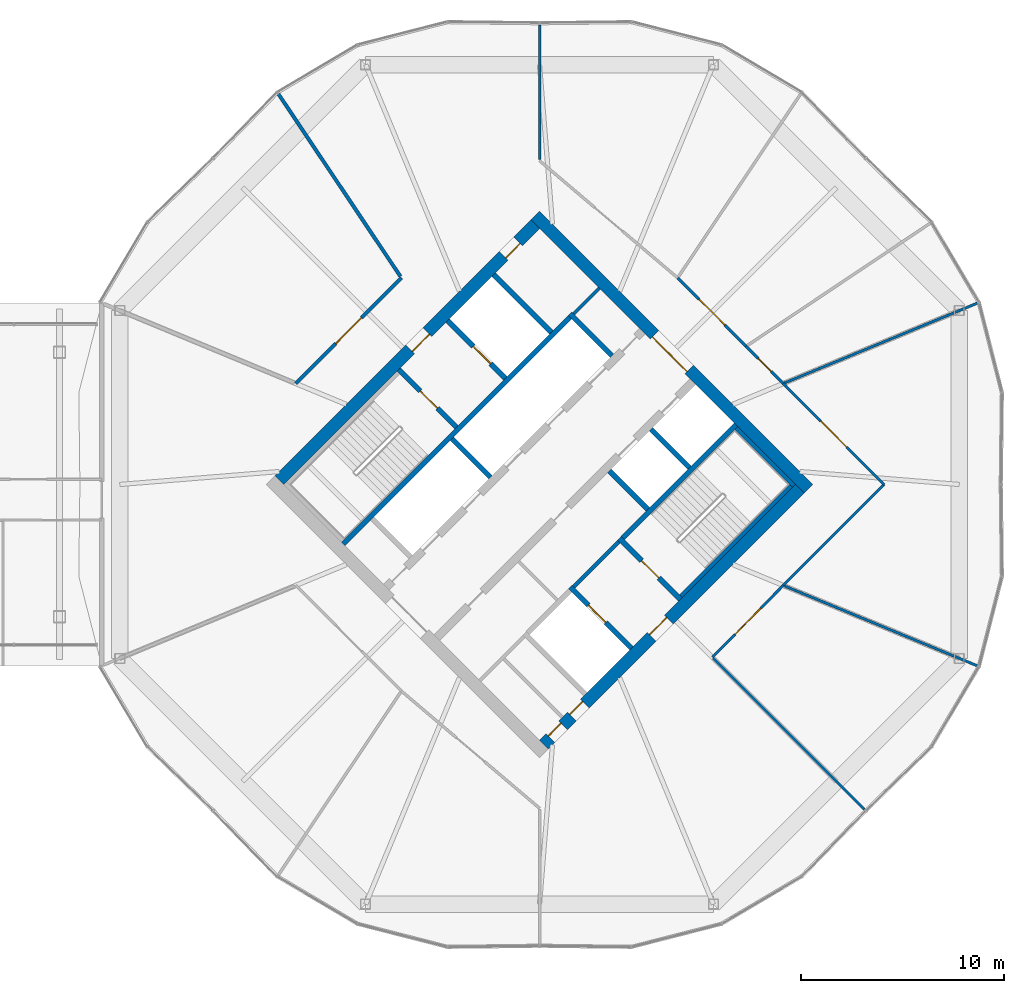
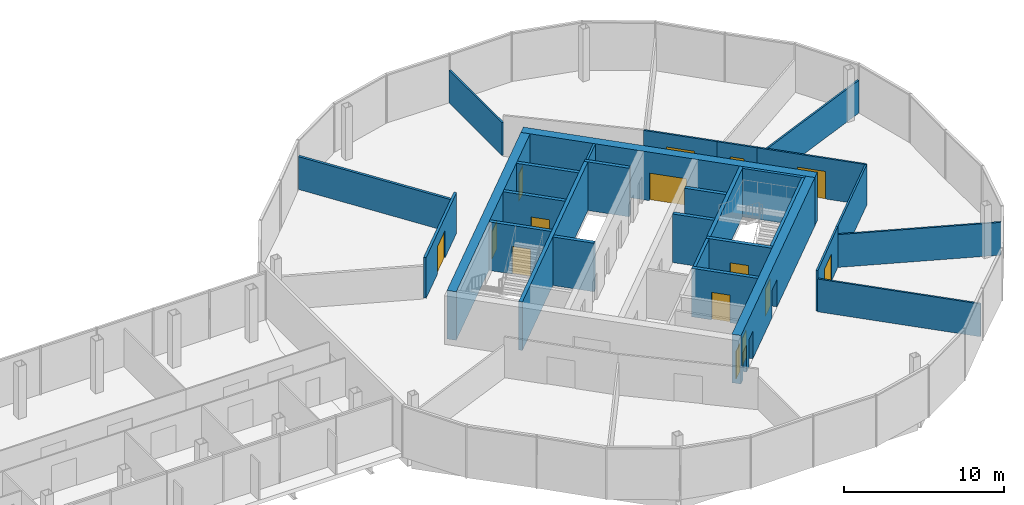
# One storey, part 23 of 25: 29 walls, 15 doors, 15 openings.
"""IFC4 building model written with IfcOpenShell, lengths in metres."""

import ifcopenshell
import ifcopenshell.guid

model = None  # the IFC model being written
_history = None  # IfcOwnerHistory: only IFC2X3 demands one
_inside = {}  # id of a spatial element -> (the spatial element, [elements in it])
_under = {}  # id of a project, library or spatial element -> (it, [spatial elements below it])
_declared = {}  # id of a project -> (the project, [libraries it declares])
_typed = {}  # id of a type object -> (the type object, [elements of that type])
_made_of = {}  # id of a material, layer set ... -> (it, [elements and type objects made of it])


def new_model(schema):
    """Start an empty IFC model of exactly this schema.

    Asked for "IFC4X3", IfcOpenShell would pick the latest addendum, in which some entities
    have other attributes; the version numbers below select the first issue.
    IFC2X3 requires an IfcOwnerHistory on every rooted entity: one is made here for all.
    """
    global model, _history
    if schema == "IFC4X3":
        model = ifcopenshell.file(schema_version=(4, 3, 0, 0))
    else:
        model = ifcopenshell.file(schema=schema)
    _inside.clear()
    _under.clear()
    _declared.clear()
    _typed.clear()
    _made_of.clear()
    _history = None
    if model.schema == "IFC2X3":
        org = make("IfcOrganization", Name="unknown")
        user = make(
            "IfcPersonAndOrganization",
            ThePerson=make("IfcPerson", FamilyName="unknown"),
            TheOrganization=org,
        )
        app = make(
            "IfcApplication",
            ApplicationDeveloper=org,
            Version="unknown",
            ApplicationFullName="unknown",
            ApplicationIdentifier="unknown",
        )
        _history = make(
            "IfcOwnerHistory",
            OwningUser=user,
            OwningApplication=app,
            ChangeAction="ADDED",
            CreationDate=0,
        )
    return model


def make(cls, **values):
    """One entity of the class cls with the attributes given. An attribute that is None is left unset."""
    return model.create_entity(
        cls, **{name: value for name, value in values.items() if value is not None}
    )


def rooted(cls, **values):
    """An entity with a GlobalId (a new one), such as an element, a storey or a relation."""
    return make(cls, GlobalId=ifcopenshell.guid.new(), OwnerHistory=_history, **values)


def si_unit(unit_type, name, prefix=None):
    """IfcSIUnit, for example si_unit("LENGTHUNIT", "METRE", prefix="MILLI")."""
    return make("IfcSIUnit", UnitType=unit_type, Prefix=prefix, Name=name)


def assignment(units):
    """IfcUnitAssignment: the units of a project."""
    return None if units is None else make("IfcUnitAssignment", Units=units)


def point(xyz):
    """IfcCartesianPoint."""
    return None if xyz is None else make("IfcCartesianPoint", Coordinates=xyz)


def direction(xyz):
    """IfcDirection."""
    return None if xyz is None else make("IfcDirection", DirectionRatios=xyz)


def frame(location, z_axis=None, x_axis=None):
    """IfcAxis2Placement3D, a coordinate frame: its origin and axes. An axis left out is left unset."""
    return make(
        "IfcAxis2Placement3D",
        Location=point(location),
        Axis=direction(z_axis),
        RefDirection=direction(x_axis),
    )


def frame_2d(location, x_axis=None):
    """IfcAxis2Placement2D, a coordinate frame in the plane: its origin and x axis."""
    return make(
        "IfcAxis2Placement2D", Location=point(location), RefDirection=direction(x_axis)
    )


def origin():
    """The frame at (0, 0, 0) with its axes left unset."""
    return frame((0.0, 0.0, 0.0))


def place(relative_to, where):
    """IfcLocalPlacement: puts the frame where relative to a parent placement (None: the world)."""
    return make(
        "IfcLocalPlacement", PlacementRelTo=relative_to, RelativePlacement=where
    )


def context(
    kind, dimensions, precision=None, world=None, true_north=None, identifier=None
):
    """IfcGeometricRepresentationContext, for example the 3D "Model" context."""
    return make(
        "IfcGeometricRepresentationContext",
        ContextIdentifier=identifier,
        ContextType=kind,
        CoordinateSpaceDimension=dimensions,
        Precision=precision,
        WorldCoordinateSystem=world,
        TrueNorth=true_north,
    )


def subcontext(parent, identifier, kind, view, scale=None):
    """IfcGeometricRepresentationSubContext, for example "Body" below "Model"."""
    return make(
        "IfcGeometricRepresentationSubContext",
        ContextIdentifier=identifier,
        ContextType=kind,
        ParentContext=parent,
        TargetScale=scale,
        TargetView=view,
    )


def project(units=None, contexts=None):
    """IfcProject with its units and contexts."""
    return rooted(
        "IfcProject",
        Name="project",
        RepresentationContexts=contexts,
        UnitsInContext=assignment(units),
    )


def spatial(cls, under=None, at=None, **own):
    """A site, building, storey or space (cls), placed at a placement, below another one or the project."""
    s = rooted(cls, ObjectPlacement=at, **own)
    if under is not None:
        _under.setdefault(under.id(), (under, []))[1].append(s)
    return s


def profile(cls, at=None, kind="AREA", **sizes):
    """A parametric profile (cls). Its sizes go by their IFC names, for example OverallWidth=200.0."""
    return make(cls, ProfileType=kind, Position=at, **sizes)


def rectangle(**sizes):
    """IfcRectangleProfileDef."""
    return profile("IfcRectangleProfileDef", **sizes)


def extrude(swept, where, along, depth):
    """IfcExtrudedAreaSolid: the profile swept, set in the frame where, extruded along a direction by depth."""
    return make(
        "IfcExtrudedAreaSolid",
        SweptArea=swept,
        Position=where,
        ExtrudedDirection=direction(along),
        Depth=depth,
    )


def shape(context_of_items, identifier, shape_type, items):
    """IfcShapeRepresentation: the items that make up one representation, for example the "Body"."""
    return make(
        "IfcShapeRepresentation",
        ContextOfItems=context_of_items,
        RepresentationIdentifier=identifier,
        RepresentationType=shape_type,
        Items=items,
    )


def material(Name=None, Category=None):
    """IfcMaterial."""
    return make("IfcMaterial", Name=Name, Category=Category)


def layer(
    of_material, thickness, ventilated=None, Name=None, Category=None, Priority=None
):
    """IfcMaterialLayer: one layer of a wall or slab, of a material (None: an air gap)."""
    return make(
        "IfcMaterialLayer",
        Material=of_material,
        LayerThickness=thickness,
        IsVentilated=ventilated,
        Name=Name,
        Category=Category,
        Priority=Priority,
    )


def layer_set(layers, Name=None):
    """IfcMaterialLayerSet."""
    return make("IfcMaterialLayerSet", MaterialLayers=layers, LayerSetName=Name)


def made_of(thing, what):
    """Note that an element or type object is made of a material, layer set ...; save() writes the relation."""
    if what is not None:
        _made_of.setdefault(what.id(), (what, []))[1].append(thing)
    return thing


def type_object(cls, material=None, **own):
    """A type object (cls), such as IfcWallType, which elements share."""
    return made_of(rooted(cls, **own), material)


def element(
    cls,
    number,
    at=None,
    inside=None,
    cuts=None,
    type_object=None,
    material=None,
    context=None,
    identifier="Body",
    shape_type=None,
    held_by="IfcProductDefinitionShape",
    body=None,
    shapes=None,
    **own,
):
    """One element of the class cls, such as IfcWall. Its Tag is "e" and its number.

    at: its placement. inside: the storey or other place that contains it. cuts: it is an
    opening in that element (IfcRelVoidsElement). A single representation is given by context,
    identifier, shape_type and body (its items); several are given by shapes. held_by: the class
    of the entity that holds the representations. save() writes the other relations.
    """
    e = rooted(cls, Tag="e%d" % number, ObjectPlacement=at, **own)
    if body is not None:
        shapes = [shape(context, identifier, shape_type, body)]
    if shapes is not None:
        e.Representation = make(held_by, Representations=shapes)
    if inside is not None:
        _inside.setdefault(inside.id(), (inside, []))[1].append(e)
    if cuts is not None:
        rooted(
            "IfcRelVoidsElement", RelatingBuildingElement=cuts, RelatedOpeningElement=e
        )
    if type_object is not None:
        _typed.setdefault(type_object.id(), (type_object, []))[1].append(e)
    return made_of(e, material)


def fill(opening, filler):
    """IfcRelFillsElement: the door or window that sits in an opening."""
    return rooted(
        "IfcRelFillsElement",
        RelatingOpeningElement=opening,
        RelatedBuildingElement=filler,
    )


def aggregate(whole, parts):
    """IfcRelAggregates: a whole, such as a stair, and the parts it consists of."""
    return rooted("IfcRelAggregates", RelatingObject=whole, RelatedObjects=parts)


def save(model, path):
    """Write the relations noted so far, then the file.

    IfcRelAggregates (storeys below a building ...), IfcRelContainedInSpatialStructure (elements
    in a storey), IfcRelDefinesByType, IfcRelAssociatesMaterial and IfcRelDeclares: one each for
    every whole, place, type object, material and project.
    """
    for whole, parts in _under.values():
        aggregate(whole, parts)
    for where, things in _inside.values():
        rooted(
            "IfcRelContainedInSpatialStructure",
            RelatedElements=things,
            RelatingStructure=where,
        )
    for kind, things in _typed.values():
        rooted("IfcRelDefinesByType", RelatedObjects=things, RelatingType=kind)
    for what, things in _made_of.values():
        rooted("IfcRelAssociatesMaterial", RelatedObjects=things, RelatingMaterial=what)
    for by, libraries in _declared.values():
        rooted("IfcRelDeclares", RelatingContext=by, RelatedDefinitions=libraries)
    model.write(path)


model = new_model("IFC4")

# Units and contexts
model_context = context("Model", 3, precision=1e-05, world=origin(), true_north=direction((0.0, 1.0)))
body_context = subcontext(model_context, "Body", "Model", "MODEL_VIEW")
ifc_project = project(units=[si_unit("LENGTHUNIT", "METRE"), si_unit("AREAUNIT", "SQUARE_METRE"), si_unit("VOLUMEUNIT", "CUBIC_METRE"), si_unit("PLANEANGLEUNIT", "RADIAN"), si_unit("MASSUNIT", "GRAM", prefix="KILO")], contexts=[model_context])

# Site, building, storey
site_placement = place(None, origin())
site = spatial("IfcSite", under=ifc_project, at=site_placement, CompositionType="ELEMENT")
building_placement = place(site_placement, origin())
building = spatial("IfcBuilding", under=site, at=building_placement, Name="Ogive Gate Towers", CompositionType="ELEMENT")
storey_placement = place(building_placement, frame((0.0, 0.0, 144.800048828125)))
storey = spatial("IfcBuildingStorey", under=building, at=storey_placement, Name="L34", CompositionType="ELEMENT", Elevation=144.800048828125)

# Wall
ifc_material_1 = material(Name="Gypsum board acoustic partition")
ifc_layer_1 = layer(ifc_material_1, 0.175048828125)
ifc_layer_set_1 = layer_set([ifc_layer_1], Name="Acoustic partition 175")
wall_type_1 = type_object("IfcWallType", Name="Acoustic partition 175", PredefinedType="PARTITIONING", material=ifc_layer_set_1)
wall_1_placement = place(storey_placement, frame((23.16015625, 19.2021484375, 0.0), z_axis=(0.0, 0.0, 1.0), x_axis=(0.555858675876, -0.831276808562, 0.0)))
element("IfcWall", 1, at=wall_1_placement, inside=storey, type_object=wall_type_1, Name="Partition T2-L34-005", PredefinedType="PARTITIONING", context=body_context, shape_type="SweptSolid", body=[
    extrude(rectangle(XDim=10.79150390625, YDim=0.175048828125, at=frame_2d((5.395751953125, 0.0))), origin(), (0.0, 0.0, 1.0), 2.5),
])

# Wall, opening, door
wall_2_placement = place(storey_placement, frame((29.207275390625, 10.15869140625, 0.0), z_axis=(0.0, 0.0, 1.0), x_axis=(-0.706840776595, -0.707372685748, 0.0)))
wall_2 = element("IfcWall", 2, at=wall_2_placement, inside=storey, type_object=wall_type_1, Name="Partition T2-L34-020", PredefinedType="PARTITIONING", context=body_context, shape_type="SweptSolid", body=[
    extrude(rectangle(XDim=7.34375, YDim=0.175048828125, at=frame_2d((3.671875, 0.0))), origin(), (0.0, 0.0, 1.0), 3.099853515625),
])
opening_1_placement = place(wall_2_placement, frame((2.77197265625, 0.0, 0.0)))
opening_1 = element("IfcOpeningElement", 3, at=opening_1_placement, cuts=wall_2, Name="Opening T2-L34-D08", PredefinedType="OPENING", context=body_context, shape_type="SweptSolid", body=[
    extrude(rectangle(XDim=1.800048828125, YDim=2.10009765625, at=frame_2d((0.89990234375, 1.050048828125))), frame((0.0, 0.09765625, 0.0), z_axis=(0.0, -1.0, 0.0), x_axis=(1.0, 0.0, 0.0)), (0.0, 0.0, 1.0), 0.195068359375),
])
ifc_material_2 = material(Name="Timber door", Category="wood")
door_type_1 = type_object("IfcDoorType", Name="Door pair 1800", OperationType="NOTDEFINED", PredefinedType="DOOR", material=ifc_material_2)
door_1_placement = place(opening_1_placement, origin())
door_1 = element("IfcDoor", 4, at=door_1_placement, inside=storey, type_object=door_type_1, Name="Door T2-L34-D08", OperationType="DOUBLE_DOOR_DOUBLE_SWING", OverallHeight=2.10009765625, OverallWidth=1.800048828125, PredefinedType="DOOR", context=body_context, shape_type="SweptSolid", body=[
    extrude(rectangle(XDim=1.800048828125, YDim=2.10009765625, at=frame_2d((0.89990234375, 1.050048828125))), frame((0.0, 0.02490234375, 0.0), z_axis=(0.0, -1.0, 0.0), x_axis=(1.0, 0.0, 0.0)), (0.0, 0.0, 1.0), 0.050048828125),
])
fill(opening_1, door_1)

# Wall
ifc_material_3 = material(Name="Masonry blockwork", Category="masonry")
ifc_layer_2 = layer(ifc_material_3, 0.199951171875)
ifc_layer_set_2 = layer_set([ifc_layer_2], Name="Blockwork wall 200 mm")
wall_type_2 = type_object("IfcWallType", Name="Blockwork wall 200 mm", PredefinedType="PARTITIONING", material=ifc_layer_set_2)
wall_3_placement = place(storey_placement, frame((37.679443359375, -5.0380859375, 0.0), z_axis=(0.0, 0.0, 1.0), x_axis=(0.707106781187, 0.707106781187, 0.0)))
element("IfcWall", 5, at=wall_3_placement, inside=storey, type_object=wall_type_2, Name="T2 L34 Blockwork wall 200 mm", PredefinedType="PARTITIONING", context=body_context, shape_type="SweptSolid", body=[
    extrude(rectangle(XDim=3.14990234375, YDim=0.199951171875, at=frame_2d((1.574951171875, 0.0))), origin(), (0.0, 0.0, 1.0), 3.699951171875),
])

# Wall, openings, doors
ifc_material_4 = material(Name="Concrete C60/75", Category="concrete")
ifc_layer_3 = layer(ifc_material_4, 0.60009765625)
ifc_layer_set_3 = layer_set([ifc_layer_3], Name="Core wall 600 mm")
wall_type_3 = type_object("IfcWallType", Name="Core wall 600 mm", PredefinedType="SHEAR", material=ifc_layer_set_3)
wall_4_placement = place(storey_placement, frame((36.212158203125, -12.798583984375, 0.0), z_axis=(0.0, 0.0, 1.0), x_axis=(0.707106781187, 0.707106781187, 0.0)))
wall_4 = element("IfcWall", 6, at=wall_4_placement, inside=storey, type_object=wall_type_3, Name="T2 L34 Core wall 600 mm", PredefinedType="SHEAR", context=body_context, shape_type="SweptSolid", body=[
    extrude(rectangle(XDim=17.7998046875, YDim=0.60009765625, at=frame_2d((8.89990234375, 0.0))), origin(), (0.0, 0.0, 1.0), 3.699951171875),
])
opening_2_placement = place(wall_4_placement, frame((7.5, 0.0, 0.0)))
opening_2 = element("IfcOpeningElement", 7, at=opening_2_placement, cuts=wall_4, Name="Opening KD-T2-L34-19", PredefinedType="OPENING", context=body_context, shape_type="SweptSolid", body=[
    extrude(rectangle(XDim=1.199951171875, YDim=2.10009765625, at=frame_2d((0.60009765625, 1.050048828125))), frame((0.0, 0.31005859375, 0.0), z_axis=(0.0, -1.0, 0.0), x_axis=(1.0, 0.0, 0.0)), (0.0, 0.0, 1.0), 0.6201171875),
])
opening_3_placement = place(wall_4_placement, frame((0.449951171875, 0.0, 0.0)))
opening_3 = element("IfcOpeningElement", 8, at=opening_3_placement, cuts=wall_4, Name="Opening KD-T2-L34-21", PredefinedType="OPENING", context=body_context, shape_type="SweptSolid", body=[
    extrude(rectangle(XDim=0.89990234375, YDim=2.10009765625, at=frame_2d((0.449951171875, 1.050048828125))), frame((0.0, 0.31005859375, 0.0), z_axis=(0.0, -1.0, 0.0), x_axis=(1.0, 0.0, 0.0)), (0.0, 0.0, 1.0), 0.6201171875),
])
opening_4_placement = place(wall_4_placement, frame((1.949951171875, 0.0, 0.0)))
opening_4 = element("IfcOpeningElement", 9, at=opening_4_placement, cuts=wall_4, Name="Opening KD-T2-L34-22", PredefinedType="OPENING", context=body_context, shape_type="SweptSolid", body=[
    extrude(rectangle(XDim=0.89990234375, YDim=2.10009765625, at=frame_2d((0.449951171875, 1.050048828125))), frame((0.0, 0.31005859375, 0.0), z_axis=(0.0, -1.0, 0.0), x_axis=(1.0, 0.0, 0.0)), (0.0, 0.0, 1.0), 0.6201171875),
])
door_type_2 = type_object("IfcDoorType", Name="Core WC door 900 x 2100", OperationType="NOTDEFINED", PredefinedType="DOOR", material=ifc_material_2)
door_2_placement = place(opening_3_placement, origin())
door_2 = element("IfcDoor", 10, at=door_2_placement, inside=storey, type_object=door_type_2, Name="T2 L34 Core door", OperationType="SINGLE_SWING_RIGHT", OverallHeight=2.10009765625, OverallWidth=0.89990234375, PredefinedType="DOOR", context=body_context, shape_type="SweptSolid", body=[
    extrude(rectangle(XDim=0.89990234375, YDim=2.10009765625, at=frame_2d((0.449951171875, 1.050048828125))), frame((0.0, 0.1748046875, 0.0), z_axis=(0.0, -1.0, 0.0), x_axis=(1.0, 0.0, 0.0)), (0.0, 0.0, 1.0), 0.050048828125),
])
fill(opening_3, door_2)
door_3_placement = place(opening_4_placement, origin())
door_3 = element("IfcDoor", 11, at=door_3_placement, inside=storey, type_object=door_type_2, Name="T2 L34 Core door", OperationType="SINGLE_SWING_LEFT", OverallHeight=2.10009765625, OverallWidth=0.89990234375, PredefinedType="DOOR", context=body_context, shape_type="SweptSolid", body=[
    extrude(rectangle(XDim=0.89990234375, YDim=2.10009765625, at=frame_2d((0.449951171875, 1.050048828125))), frame((0.0, 0.1748046875, 0.0), z_axis=(0.0, -1.0, 0.0), x_axis=(1.0, 0.0, 0.0)), (0.0, 0.0, 1.0), 0.050048828125),
])
fill(opening_4, door_3)
ifc_material_5 = material(Name="Steel fire door", Category="steel")
door_type_3 = type_object("IfcDoorType", Name="Core door FD60S 1200 x 2100", OperationType="NOTDEFINED", PredefinedType="DOOR", material=ifc_material_5)
door_4_placement = place(opening_2_placement, origin())
door_4 = element("IfcDoor", 12, at=door_4_placement, inside=storey, type_object=door_type_3, Name="T2 L34 Fire-fighting lobby door", OperationType="SINGLE_SWING_RIGHT", OverallHeight=2.10009765625, OverallWidth=1.199951171875, PredefinedType="DOOR", context=body_context, shape_type="SweptSolid", body=[
    extrude(rectangle(XDim=1.199951171875, YDim=2.10009765625, at=frame_2d((0.60009765625, 1.050048828125))), frame((0.0, 0.1748046875, 0.0), z_axis=(0.0, -1.0, 0.0), x_axis=(1.0, 0.0, 0.0)), (0.0, 0.0, 1.0), 0.050048828125),
])
fill(opening_2, door_4)

wall_5_placement = place(storey_placement, frame((23.201416015625, 0.212158203125, 0.0), z_axis=(0.0, 0.0, 1.0), x_axis=(0.707106781187, 0.707106781187, 0.0)))
wall_5 = element("IfcWall", 13, at=wall_5_placement, inside=storey, type_object=wall_type_3, Name="T2 L34 Core wall 600 mm", PredefinedType="SHEAR", context=body_context, shape_type="SweptSolid", body=[
    extrude(rectangle(XDim=17.7998046875, YDim=0.60009765625, at=frame_2d((8.89990234375, 0.0))), origin(), (0.0, 0.0, 1.0), 3.699951171875),
])
opening_5_placement = place(wall_5_placement, frame((9.10009765625, 0.0, 0.0)))
opening_5 = element("IfcOpeningElement", 14, at=opening_5_placement, cuts=wall_5, Name="Opening KD-T2-L34-18", PredefinedType="OPENING", context=body_context, shape_type="SweptSolid", body=[
    extrude(rectangle(XDim=1.199951171875, YDim=2.10009765625, at=frame_2d((0.60009765625, 1.050048828125))), frame((0.0, 0.31005859375, 0.0), z_axis=(0.0, -1.0, 0.0), x_axis=(1.0, 0.0, 0.0)), (0.0, 0.0, 1.0), 0.6201171875),
])
opening_6_placement = place(wall_5_placement, frame((15.60009765625, 0.0, 0.0)))
opening_6 = element("IfcOpeningElement", 15, at=opening_6_placement, cuts=wall_5, Name="Opening KD-T2-L34-20", PredefinedType="OPENING", context=body_context, shape_type="SweptSolid", body=[
    extrude(rectangle(XDim=1.0, YDim=2.10009765625, at=frame_2d((0.5, 1.050048828125))), frame((0.0, 0.31005859375, 0.0), z_axis=(0.0, -1.0, 0.0), x_axis=(1.0, 0.0, 0.0)), (0.0, 0.0, 1.0), 0.6201171875),
])
door_type_4 = type_object("IfcDoorType", Name="Accessible WC door 1000 x 2100", OperationType="NOTDEFINED", PredefinedType="DOOR", material=ifc_material_2)
door_5_placement = place(opening_6_placement, origin())
door_5 = element("IfcDoor", 16, at=door_5_placement, inside=storey, type_object=door_type_4, Name="T2 L34 Core door", OperationType="SINGLE_SWING_LEFT", OverallHeight=2.10009765625, OverallWidth=1.0, PredefinedType="DOOR", context=body_context, shape_type="SweptSolid", body=[
    extrude(rectangle(XDim=1.0, YDim=2.10009765625, at=frame_2d((0.5, 1.050048828125))), frame((0.0, -0.125, 0.0), z_axis=(0.0, -1.0, 0.0), x_axis=(1.0, 0.0, 0.0)), (0.0, 0.0, 1.0), 0.050048828125),
])
fill(opening_6, door_5)
door_6_placement = place(opening_5_placement, origin())
door_6 = element("IfcDoor", 17, at=door_6_placement, inside=storey, type_object=door_type_3, Name="T2 L34 Fire-fighting lobby door", OperationType="SINGLE_SWING_LEFT", OverallHeight=2.10009765625, OverallWidth=1.199951171875, PredefinedType="DOOR", context=body_context, shape_type="SweptSolid", body=[
    extrude(rectangle(XDim=1.199951171875, YDim=2.10009765625, at=frame_2d((0.60009765625, 1.050048828125))), frame((0.0, -0.125, 0.0), z_axis=(0.0, -1.0, 0.0), x_axis=(1.0, 0.0, 0.0)), (0.0, 0.0, 1.0), 0.050048828125),
])
fill(opening_5, door_6)

# Wall, opening, door
wall_6_placement = place(storey_placement, frame((49.222900390625, -0.212158203125, 0.0), z_axis=(0.0, 0.0, 1.0), x_axis=(-0.707106781187, 0.707106781187, 0.0)))
wall_6 = element("IfcWall", 18, at=wall_6_placement, inside=storey, type_object=wall_type_3, Name="T2 L34 Core wall 600 mm", PredefinedType="SHEAR", context=body_context, shape_type="SweptSolid", body=[
    extrude(rectangle(XDim=19.0, YDim=0.60009765625, at=frame_2d((9.5, 0.0))), origin(), (0.0, 0.0, 1.0), 3.699951171875),
])
opening_7_placement = place(wall_6_placement, frame((8.300048828125, 0.0, 0.0)))
opening_7 = element("IfcOpeningElement", 19, at=opening_7_placement, cuts=wall_6, Name="Opening KD-T2-L34-02", PredefinedType="OPENING", context=body_context, shape_type="SweptSolid", body=[
    extrude(rectangle(XDim=2.39990234375, YDim=2.10009765625, at=frame_2d((1.199951171875, 1.050048828125))), frame((0.0, 0.31005859375, 0.0), z_axis=(0.0, -1.0, 0.0), x_axis=(1.0, 0.0, 0.0)), (0.0, 0.0, 1.0), 0.6201171875),
])
door_type_5 = type_object("IfcDoorType", Name="Core double door FD60S 2400 x 2100", OperationType="DOUBLE_DOOR_SINGLE_SWING", PredefinedType="DOOR", material=ifc_material_5)
door_7_placement = place(opening_7_placement, origin())
door_7 = element("IfcDoor", 20, at=door_7_placement, inside=storey, type_object=door_type_5, Name="T2 L34 Core door double", OperationType="DOUBLE_DOOR_SINGLE_SWING", OverallHeight=2.10009765625, OverallWidth=2.39990234375, PredefinedType="DOOR", context=body_context, shape_type="SweptSolid", body=[
    extrude(rectangle(XDim=2.39990234375, YDim=2.10009765625, at=frame_2d((1.199951171875, 1.050048828125))), frame((0.0, 0.1748046875, 0.0), z_axis=(0.0, -1.0, 0.0), x_axis=(1.0, 0.0, 0.0)), (0.0, 0.0, 1.0), 0.050048828125),
])
fill(opening_7, door_7)

# Walls
ifc_material_6 = material(Name="Gypsum board partition")
ifc_layer_4 = layer(ifc_material_6, 0.125)
ifc_layer_set_4 = layer_set([ifc_layer_4], Name="Partition 125")
wall_type_4 = type_object("IfcWallType", Name="Partition 125", PredefinedType="PARTITIONING", material=ifc_layer_set_4)
wall_7_placement = place(storey_placement, frame((57.5263671875, 8.91650390625, 0.0), z_axis=(0.0, 0.0, 1.0), x_axis=(-0.923881187975, -0.382679435699, 0.0)))
element("IfcWall", 21, at=wall_7_placement, inside=storey, type_object=wall_type_4, Name="Partition T2-L34-001", PredefinedType="PARTITIONING", context=body_context, shape_type="SweptSolid", body=[
    extrude(rectangle(XDim=10.266357421875, YDim=0.125, at=frame_2d((5.13330078125, 0.0))), origin(), (0.0, 0.0, 1.0), 2.5),
])
wall_8_placement = place(storey_placement, frame((36.0, 22.59912109375, 0.0), z_axis=(0.0, 0.0, 1.0), x_axis=(0.0, -1.0, 0.0)))
element("IfcWall", 22, at=wall_8_placement, inside=storey, type_object=wall_type_4, Name="Partition T2-L34-004", PredefinedType="PARTITIONING", context=body_context, shape_type="SweptSolid", body=[
    extrude(rectangle(XDim=6.61669921875, YDim=0.125, at=frame_2d((3.308349609375, 0.0))), origin(), (0.0, 0.0, 1.0), 2.5),
])
wall_9_placement = place(storey_placement, frame((51.97998046875, -15.97998046875, 0.0), z_axis=(0.0, 0.0, 1.0), x_axis=(-0.707106781187, 0.707106781187, 0.0)))
element("IfcWall", 23, at=wall_9_placement, inside=storey, type_object=wall_type_4, Name="Partition T2-L34-010", PredefinedType="PARTITIONING", context=body_context, shape_type="SweptSolid", body=[
    extrude(rectangle(XDim=10.5166015625, YDim=0.125, at=frame_2d((5.25830078125, 0.0))), origin(), (0.0, 0.0, 1.0), 2.5),
])
wall_10_placement = place(storey_placement, frame((57.5263671875, -8.91650390625, 0.0), z_axis=(0.0, 0.0, 1.0), x_axis=(-0.923881187975, 0.382679435699, 0.0)))
element("IfcWall", 24, at=wall_10_placement, inside=storey, type_object=wall_type_4, Name="Partition T2-L34-011", PredefinedType="PARTITIONING", context=body_context, shape_type="SweptSolid", body=[
    extrude(rectangle(XDim=10.266357421875, YDim=0.125, at=frame_2d((5.13330078125, 0.0))), origin(), (0.0, 0.0, 1.0), 2.5),
])

# Wall, opening, door
wall_11_placement = place(storey_placement, frame((44.49951171875, -8.49951171875, 0.0), z_axis=(0.0, 0.0, 1.0), x_axis=(0.701898874817, 0.712276610265, 0.0)))
wall_11 = element("IfcWall", 25, at=wall_11_placement, inside=storey, type_object=wall_type_4, Name="Partition T2-L34-014", PredefinedType="PARTITIONING", context=body_context, shape_type="SweptSolid", body=[
    extrude(rectangle(XDim=4.9638671875, YDim=0.125, at=frame_2d((2.48193359375, 0.0))), origin(), (0.0, 0.0, 1.0), 3.099853515625),
])
opening_8_placement = place(wall_11_placement, frame((1.58203125, 0.0, 0.0)))
opening_8 = element("IfcOpeningElement", 26, at=opening_8_placement, cuts=wall_11, Name="Opening T2-L34-D03", PredefinedType="OPENING", context=body_context, shape_type="SweptSolid", body=[
    extrude(rectangle(XDim=1.800048828125, YDim=2.10009765625, at=frame_2d((0.89990234375, 1.050048828125))), frame((0.0, 0.072509765625, 0.0), z_axis=(0.0, -1.0, 0.0), x_axis=(1.0, 0.0, 0.0)), (0.0, 0.0, 1.0), 0.14501953125),
])
door_8_placement = place(opening_8_placement, origin())
door_8 = element("IfcDoor", 27, at=door_8_placement, inside=storey, type_object=door_type_1, Name="Door T2-L34-D03", OperationType="DOUBLE_DOOR_DOUBLE_SWING", OverallHeight=2.10009765625, OverallWidth=1.800048828125, PredefinedType="DOOR", context=body_context, shape_type="SweptSolid", body=[
    extrude(rectangle(XDim=1.800048828125, YDim=2.10009765625, at=frame_2d((0.89990234375, 1.050048828125))), frame((0.0, 0.02490234375, 0.0), z_axis=(0.0, -1.0, 0.0), x_axis=(1.0, 0.0, 0.0)), (0.0, 0.0, 1.0), 0.050048828125),
])
fill(opening_8, door_8)

wall_12_placement = place(storey_placement, frame((52.9423828125, 0.0, 0.0), z_axis=(0.0, 0.0, 1.0), x_axis=(-0.706741328915, 0.70747204468, 0.0)))
wall_12 = element("IfcWall", 28, at=wall_12_placement, inside=storey, type_object=wall_type_4, Name="Partition T2-L34-015", PredefinedType="PARTITIONING", context=body_context, shape_type="SweptSolid", body=[
    extrude(rectangle(XDim=7.016357421875, YDim=0.125, at=frame_2d((3.50830078125, 0.0))), origin(), (0.0, 0.0, 1.0), 3.099853515625),
])
opening_9_placement = place(wall_12_placement, frame((2.60791015625, 0.0, 0.0)))
opening_9 = element("IfcOpeningElement", 29, at=opening_9_placement, cuts=wall_12, Name="Opening T2-L34-D04", PredefinedType="OPENING", context=body_context, shape_type="SweptSolid", body=[
    extrude(rectangle(XDim=1.800048828125, YDim=2.10009765625, at=frame_2d((0.89990234375, 1.050048828125))), frame((0.0, 0.072509765625, 0.0), z_axis=(0.0, -1.0, 0.0), x_axis=(1.0, 0.0, 0.0)), (0.0, 0.0, 1.0), 0.14501953125),
])
door_9_placement = place(opening_9_placement, origin())
door_9 = element("IfcDoor", 30, at=door_9_placement, inside=storey, type_object=door_type_1, Name="Door T2-L34-D04", OperationType="DOUBLE_DOOR_DOUBLE_SWING", OverallHeight=2.10009765625, OverallWidth=1.800048828125, PredefinedType="DOOR", context=body_context, shape_type="SweptSolid", body=[
    extrude(rectangle(XDim=1.800048828125, YDim=2.10009765625, at=frame_2d((0.89990234375, 1.050048828125))), frame((0.0, 0.02490234375, 0.0), z_axis=(0.0, -1.0, 0.0), x_axis=(1.0, 0.0, 0.0)), (0.0, 0.0, 1.0), 0.050048828125),
])
fill(opening_9, door_9)

# Wall
wall_13_placement = place(storey_placement, frame((47.983642578125, -4.9638671875, 0.0), z_axis=(0.0, 0.0, 1.0), x_axis=(0.706741328915, 0.70747204468, 0.0)))
element("IfcWall", 31, at=wall_13_placement, inside=storey, type_object=wall_type_4, Name="Partition T2-L34-016", PredefinedType="PARTITIONING", context=body_context, shape_type="SweptSolid", body=[
    extrude(rectangle(XDim=7.016357421875, YDim=0.125, at=frame_2d((3.50830078125, 0.0))), origin(), (0.0, 0.0, 1.0), 3.099853515625),
])

# Wall, opening, door
wall_14_placement = place(storey_placement, frame((47.983642578125, 4.9638671875, 0.0), z_axis=(0.0, 0.0, 1.0), x_axis=(-0.70635041678, 0.707862337404, 0.0)))
wall_14 = element("IfcWall", 32, at=wall_14_placement, inside=storey, type_object=wall_type_4, Name="Partition T2-L34-017", PredefinedType="PARTITIONING", context=body_context, shape_type="SweptSolid", body=[
    extrude(rectangle(XDim=2.583740234375, YDim=0.125, at=frame_2d((1.2919921875, 0.0))), origin(), (0.0, 0.0, 1.0), 3.099853515625),
])
opening_10_placement = place(wall_14_placement, frame((0.842041015625, 0.0, 0.0)))
opening_10 = element("IfcOpeningElement", 33, at=opening_10_placement, cuts=wall_14, Name="Opening T2-L34-D05", PredefinedType="OPENING", context=body_context, shape_type="SweptSolid", body=[
    extrude(rectangle(XDim=0.89990234375, YDim=2.10009765625, at=frame_2d((0.449951171875, 1.050048828125))), frame((0.0, 0.072509765625, 0.0), z_axis=(0.0, -1.0, 0.0), x_axis=(1.0, 0.0, 0.0)), (0.0, 0.0, 1.0), 0.14501953125),
])
door_type_6 = type_object("IfcDoorType", Name="Door 900", OperationType="NOTDEFINED", PredefinedType="DOOR", material=ifc_material_2)
door_10_placement = place(opening_10_placement, origin())
door_10 = element("IfcDoor", 34, at=door_10_placement, inside=storey, type_object=door_type_6, Name="Door T2-L34-D05", OperationType="SINGLE_SWING_RIGHT", OverallHeight=2.10009765625, OverallWidth=0.89990234375, PredefinedType="DOOR", context=body_context, shape_type="SweptSolid", body=[
    extrude(rectangle(XDim=0.89990234375, YDim=2.10009765625, at=frame_2d((0.449951171875, 1.050048828125))), frame((0.0, 0.02490234375, 0.0), z_axis=(0.0, -1.0, 0.0), x_axis=(1.0, 0.0, 0.0)), (0.0, 0.0, 1.0), 0.050048828125),
])
fill(opening_10, door_10)

wall_15_placement = place(storey_placement, frame((46.15869140625, 6.792724609375, 0.0), z_axis=(0.0, 0.0, 1.0), x_axis=(-0.707106781187, 0.707106781187, 0.0)))
wall_15 = element("IfcWall", 35, at=wall_15_placement, inside=storey, type_object=wall_type_4, Name="Partition T2-L34-018", PredefinedType="PARTITIONING", context=body_context, shape_type="SweptSolid", body=[
    extrude(rectangle(XDim=4.76025390625, YDim=0.125, at=frame_2d((2.380126953125, 0.0))), origin(), (0.0, 0.0, 1.0), 3.099853515625),
])
opening_11_placement = place(wall_15_placement, frame((1.47998046875, 0.0, 0.0)))
opening_11 = element("IfcOpeningElement", 36, at=opening_11_placement, cuts=wall_15, Name="Opening T2-L34-D06", PredefinedType="OPENING", context=body_context, shape_type="SweptSolid", body=[
    extrude(rectangle(XDim=1.800048828125, YDim=2.10009765625, at=frame_2d((0.89990234375, 1.050048828125))), frame((0.0, 0.072509765625, 0.0), z_axis=(0.0, -1.0, 0.0), x_axis=(1.0, 0.0, 0.0)), (0.0, 0.0, 1.0), 0.14501953125),
])
door_11_placement = place(opening_11_placement, origin())
door_11 = element("IfcDoor", 37, at=door_11_placement, inside=storey, type_object=door_type_1, Name="Door T2-L34-D06", OperationType="DOUBLE_DOOR_DOUBLE_SWING", OverallHeight=2.10009765625, OverallWidth=1.800048828125, PredefinedType="DOOR", context=body_context, shape_type="SweptSolid", body=[
    extrude(rectangle(XDim=1.800048828125, YDim=2.10009765625, at=frame_2d((0.89990234375, 1.050048828125))), frame((0.0, 0.02490234375, 0.0), z_axis=(0.0, -1.0, 0.0), x_axis=(1.0, 0.0, 0.0)), (0.0, 0.0, 1.0), 0.050048828125),
])
fill(opening_11, door_11)

# Walls
ifc_layer_5 = layer(ifc_material_6, 0.14990234375)
ifc_layer_set_5 = layer_set([ifc_layer_5], Name="Room partition 150 mm")
wall_type_5 = type_object("IfcWallType", Name="Room partition 150 mm", PredefinedType="PARTITIONING", material=ifc_layer_set_5)
wall_16_placement = place(storey_placement, frame((37.679443359375, 8.39697265625, 0.0), z_axis=(0.0, 0.0, 1.0), x_axis=(0.707106781187, 0.707106781187, 0.0)))
element("IfcWall", 38, at=wall_16_placement, inside=storey, type_object=wall_type_5, Name="T2 L34 Room partition 150 mm", PredefinedType="PARTITIONING", context=body_context, shape_type="SweptSolid", body=[
    extrude(rectangle(XDim=1.77490234375, YDim=0.14990234375, at=frame_2d((0.887451171875, 0.0))), origin(), (0.0, 0.0, 1.0), 3.699951171875),
])
ifc_layer_6 = layer(ifc_material_4, 0.25)
ifc_layer_set_6 = layer_set([ifc_layer_6], Name="Shaft wall 250 mm")
wall_type_6 = type_object("IfcWallType", Name="Shaft wall 250 mm", PredefinedType="SHEAR", material=ifc_layer_set_6)
wall_17_placement = place(storey_placement, frame((40.08349609375, -2.634033203125, 0.0), z_axis=(0.0, 0.0, 1.0), x_axis=(0.707106781187, 0.707106781187, 0.0)))
element("IfcWall", 39, at=wall_17_placement, inside=storey, type_object=wall_type_6, Name="T2 L34 Shaft wall 250 mm", PredefinedType="SHEAR", context=body_context, shape_type="SweptSolid", body=[
    extrude(rectangle(XDim=7.875244140625, YDim=0.25, at=frame_2d((3.9375, 0.0))), origin(), (0.0, 0.0, 1.0), 3.699951171875),
])
wall_18_placement = place(storey_placement, frame((26.347900390625, -2.9345703125, 0.0), z_axis=(0.0, 0.0, 1.0), x_axis=(0.707106781187, 0.707106781187, 0.0)))
element("IfcWall", 40, at=wall_18_placement, inside=storey, type_object=wall_type_6, Name="T2 L34 Shaft wall 250 mm", PredefinedType="SHEAR", context=body_context, shape_type="SweptSolid", body=[
    extrude(rectangle(XDim=15.775146484375, YDim=0.25, at=frame_2d((7.8876953125, 0.0))), origin(), (0.0, 0.0, 1.0), 3.699951171875),
])

# Wall, opening, door
wall_19_placement = place(storey_placement, frame((40.525390625, -8.06103515625, 0.0), z_axis=(0.0, 0.0, 1.0), x_axis=(-0.707078225638, 0.707135335582, 0.0)))
wall_19 = element("IfcWall", 41, at=wall_19_placement, inside=storey, type_object=wall_type_6, Name="T2 L34 Shaft wall 250 mm", PredefinedType="SHEAR", context=body_context, shape_type="SweptSolid", body=[
    extrude(rectangle(XDim=4.27490234375, YDim=0.25, at=frame_2d((2.137451171875, 0.0))), origin(), (0.0, 0.0, 1.0), 3.699951171875),
])
opening_12_placement = place(wall_19_placement, frame((1.800048828125, 0.0, 0.0)))
opening_12 = element("IfcOpeningElement", 42, at=opening_12_placement, cuts=wall_19, Name="Opening LD-T2-L34-13", PredefinedType="OPENING", context=body_context, shape_type="SweptSolid", body=[
    extrude(rectangle(XDim=1.199951171875, YDim=2.10009765625, at=frame_2d((0.60009765625, 1.050048828125))), frame((0.0, 0.135009765625, 0.0), z_axis=(0.0, -1.0, 0.0), x_axis=(1.0, 0.0, 0.0)), (0.0, 0.0, 1.0), 0.27001953125),
])
ifc_material_7 = material(Name="Stainless steel landing door", Category="steel")
door_type_7 = type_object("IfcDoorType", Name="Landing door 1200 x 2100", OperationType="SLIDING_TO_LEFT", PredefinedType="DOOR", material=ifc_material_7)
door_12_placement = place(opening_12_placement, origin())
door_12 = element("IfcDoor", 43, at=door_12_placement, inside=storey, type_object=door_type_7, Name="T2 L34 Lift landing door FF2", OperationType="SLIDING_TO_LEFT", OverallHeight=2.10009765625, OverallWidth=1.199951171875, PredefinedType="DOOR", context=body_context, shape_type="SweptSolid", body=[
    extrude(rectangle(XDim=1.199951171875, YDim=2.10009765625, at=frame_2d((0.60009765625, 1.050048828125))), frame((0.0, 0.02490234375, 0.0), z_axis=(0.0, -1.0, 0.0), x_axis=(1.0, 0.0, 0.0)), (0.0, 0.0, 1.0), 0.050048828125),
])
fill(opening_12, door_12)

# Wall
wall_20_placement = place(storey_placement, frame((33.595703125, 0.353515625, 0.0), z_axis=(0.0, 0.0, 1.0), x_axis=(-0.707061145201, 0.707152414227, 0.0)))
element("IfcWall", 44, at=wall_20_placement, inside=storey, type_object=wall_type_6, Name="T2 L34 Shaft wall 250 mm", PredefinedType="SHEAR", context=body_context, shape_type="SweptSolid", body=[
    extrude(rectangle(XDim=2.675048828125, YDim=0.25, at=frame_2d((1.33740234375, 0.0))), origin(), (0.0, 0.0, 1.0), 3.699951171875),
])

# Wall, opening, door
wall_21_placement = place(storey_placement, frame((31.91650390625, 2.810791015625, 0.0), z_axis=(0.0, 0.0, 1.0), x_axis=(-0.707106781187, 0.707106781187, 0.0)))
wall_21 = element("IfcWall", 45, at=wall_21_placement, inside=storey, type_object=wall_type_6, Name="T2 L34 Shaft wall 250 mm", PredefinedType="SHEAR", context=body_context, shape_type="SweptSolid", body=[
    extrude(rectangle(XDim=4.025146484375, YDim=0.25, at=frame_2d((2.0126953125, 0.0))), origin(), (0.0, 0.0, 1.0), 3.699951171875),
])
opening_13_placement = place(wall_21_placement, frame((1.324951171875, 0.0, 0.0)))
opening_13 = element("IfcOpeningElement", 46, at=opening_13_placement, cuts=wall_21, Name="Opening KD-T2-L34-16", PredefinedType="OPENING", context=body_context, shape_type="SweptSolid", body=[
    extrude(rectangle(XDim=1.199951171875, YDim=2.10009765625, at=frame_2d((0.60009765625, 1.050048828125))), frame((0.0, 0.135009765625, 0.0), z_axis=(0.0, -1.0, 0.0), x_axis=(1.0, 0.0, 0.0)), (0.0, 0.0, 1.0), 0.27001953125),
])
door_13_placement = place(opening_13_placement, origin())
door_13 = element("IfcDoor", 47, at=door_13_placement, inside=storey, type_object=door_type_3, Name="T2 L34 Stair door", OperationType="SINGLE_SWING_LEFT", OverallHeight=2.10009765625, OverallWidth=1.199951171875, PredefinedType="DOOR", context=body_context, shape_type="SweptSolid", body=[
    extrude(rectangle(XDim=1.199951171875, YDim=2.10009765625, at=frame_2d((0.60009765625, 1.050048828125))), frame((0.0, 0.02490234375, 0.0), z_axis=(0.0, -1.0, 0.0), x_axis=(1.0, 0.0, 0.0)), (0.0, 0.0, 1.0), 0.050048828125),
])
fill(opening_13, door_13)

wall_22_placement = place(storey_placement, frame((42.9296875, -5.656982421875, 0.0), z_axis=(0.0, 0.0, 1.0), x_axis=(-0.707106781187, 0.707106781187, 0.0)))
wall_22 = element("IfcWall", 48, at=wall_22_placement, inside=storey, type_object=wall_type_6, Name="T2 L34 Shaft wall 250 mm", PredefinedType="SHEAR", context=body_context, shape_type="SweptSolid", body=[
    extrude(rectangle(XDim=4.250244140625, YDim=0.25, at=frame_2d((2.125, 0.0))), origin(), (0.0, 0.0, 1.0), 3.699951171875),
])
opening_14_placement = place(wall_22_placement, frame((1.5, 0.0, 0.0)))
opening_14 = element("IfcOpeningElement", 49, at=opening_14_placement, cuts=wall_22, Name="Opening KD-T2-L34-17", PredefinedType="OPENING", context=body_context, shape_type="SweptSolid", body=[
    extrude(rectangle(XDim=1.199951171875, YDim=2.10009765625, at=frame_2d((0.60009765625, 1.050048828125))), frame((0.0, 0.135009765625, 0.0), z_axis=(0.0, -1.0, 0.0), x_axis=(1.0, 0.0, 0.0)), (0.0, 0.0, 1.0), 0.27001953125),
])
door_14_placement = place(opening_14_placement, origin())
door_14 = element("IfcDoor", 50, at=door_14_placement, inside=storey, type_object=door_type_3, Name="T2 L34 Stair door", OperationType="SINGLE_SWING_RIGHT", OverallHeight=2.10009765625, OverallWidth=1.199951171875, PredefinedType="DOOR", context=body_context, shape_type="SweptSolid", body=[
    extrude(rectangle(XDim=1.199951171875, YDim=2.10009765625, at=frame_2d((0.60009765625, 1.050048828125))), frame((0.0, 0.02490234375, 0.0), z_axis=(0.0, -1.0, 0.0), x_axis=(1.0, 0.0, 0.0)), (0.0, 0.0, 1.0), 0.050048828125),
])
fill(opening_14, door_14)

wall_23_placement = place(storey_placement, frame((34.320556640625, 5.21484375, 0.0), z_axis=(0.0, 0.0, 1.0), x_axis=(-0.70707645213, 0.707137108942, 0.0)))
wall_23 = element("IfcWall", 51, at=wall_23_placement, inside=storey, type_object=wall_type_6, Name="T2 L34 Shaft wall 250 mm", PredefinedType="SHEAR", context=body_context, shape_type="SweptSolid", body=[
    extrude(rectangle(XDim=4.02490234375, YDim=0.25, at=frame_2d((2.012451171875, 0.0))), origin(), (0.0, 0.0, 1.0), 3.699951171875),
])
opening_15_placement = place(wall_23_placement, frame((1.02490234375, 0.0, 0.0)))
opening_15 = element("IfcOpeningElement", 52, at=opening_15_placement, cuts=wall_23, Name="Opening LD-T2-L34-12", PredefinedType="OPENING", context=body_context, shape_type="SweptSolid", body=[
    extrude(rectangle(XDim=1.199951171875, YDim=2.10009765625, at=frame_2d((0.60009765625, 1.050048828125))), frame((0.0, 0.135009765625, 0.0), z_axis=(0.0, -1.0, 0.0), x_axis=(1.0, 0.0, 0.0)), (0.0, 0.0, 1.0), 0.27001953125),
])
door_15_placement = place(opening_15_placement, origin())
door_15 = element("IfcDoor", 53, at=door_15_placement, inside=storey, type_object=door_type_7, Name="T2 L34 Lift landing door FF1", OperationType="SLIDING_TO_LEFT", OverallHeight=2.10009765625, OverallWidth=1.199951171875, PredefinedType="DOOR", context=body_context, shape_type="SweptSolid", body=[
    extrude(rectangle(XDim=1.199951171875, YDim=2.10009765625, at=frame_2d((0.60009765625, 1.050048828125))), frame((0.0, 0.02490234375, 0.0), z_axis=(0.0, -1.0, 0.0), x_axis=(1.0, 0.0, 0.0)), (0.0, 0.0, 1.0), 0.050048828125),
])
fill(opening_15, door_15)

# Walls
wall_24_placement = place(storey_placement, frame((41.321044921875, -1.2197265625, 0.0), z_axis=(0.0, 0.0, 1.0), x_axis=(-0.707106781187, 0.707106781187, 0.0)))
element("IfcWall", 54, at=wall_24_placement, inside=storey, type_object=wall_type_6, Name="T2 L34 Shaft wall 250 mm", PredefinedType="SHEAR", context=body_context, shape_type="SweptSolid", body=[
    extrude(rectangle(XDim=2.675048828125, YDim=0.25, at=frame_2d((1.33740234375, 0.0))), origin(), (0.0, 0.0, 1.0), 3.699951171875),
])
wall_25_placement = place(storey_placement, frame((36.58349609375, 7.477783203125, 0.0), z_axis=(0.0, 0.0, 1.0), x_axis=(-0.707137108942, 0.70707645213, 0.0)))
element("IfcWall", 55, at=wall_25_placement, inside=storey, type_object=wall_type_6, Name="T2 L34 Shaft wall 250 mm", PredefinedType="SHEAR", context=body_context, shape_type="SweptSolid", body=[
    extrude(rectangle(XDim=4.02490234375, YDim=0.25, at=frame_2d((2.012451171875, 0.0))), origin(), (0.0, 0.0, 1.0), 3.699951171875),
])
wall_26_placement = place(storey_placement, frame((43.37158203125, 0.830810546875, 0.0), z_axis=(0.0, 0.0, 1.0), x_axis=(-0.707106781187, 0.707106781187, 0.0)))
element("IfcWall", 56, at=wall_26_placement, inside=storey, type_object=wall_type_6, Name="T2 L34 Shaft wall 250 mm", PredefinedType="SHEAR", context=body_context, shape_type="SweptSolid", body=[
    extrude(rectangle(XDim=2.675048828125, YDim=0.25, at=frame_2d((1.33740234375, 0.0))), origin(), (0.0, 0.0, 1.0), 3.699951171875),
])
wall_27_placement = place(storey_placement, frame((39.57080078125, 6.32861328125, 0.0), z_axis=(0.0, 0.0, 1.0), x_axis=(-0.707065045505, 0.707148514405, 0.0)))
element("IfcWall", 57, at=wall_27_placement, inside=storey, type_object=wall_type_6, Name="T2 L34 Shaft wall 250 mm", PredefinedType="SHEAR", context=body_context, shape_type="SweptSolid", body=[
    extrude(rectangle(XDim=2.925048828125, YDim=0.25, at=frame_2d((1.46240234375, 0.0))), origin(), (0.0, 0.0, 1.0), 3.699951171875),
])
ifc_layer_7 = layer(ifc_material_4, 0.199951171875)
ifc_layer_set_7 = layer_set([ifc_layer_7], Name="Stair wall 200 mm")
wall_type_7 = type_object("IfcWallType", Name="Stair wall 200 mm", PredefinedType="SHEAR", material=ifc_layer_set_7)
wall_28_placement = place(storey_placement, frame((42.947265625, -5.497802734375, 0.0), z_axis=(0.0, 0.0, 1.0), x_axis=(0.707122685701, 0.707090876314, 0.0)))
element("IfcWall", 58, at=wall_28_placement, inside=storey, type_object=wall_type_7, Name="T2 L34 Stair wall 200 mm", PredefinedType="SHEAR", context=body_context, shape_type="SweptSolid", body=[
    extrude(rectangle(XDim=7.675048828125, YDim=0.199951171875, at=frame_2d((3.83740234375, 0.0))), origin(), (0.0, 0.0, 1.0), 3.699951171875),
])
wall_29_placement = place(storey_placement, frame((48.515869140625, -0.07080078125, 0.0), z_axis=(0.0, 0.0, 1.0), x_axis=(-0.707106781187, 0.707106781187, 0.0)))
element("IfcWall", 59, at=wall_29_placement, inside=storey, type_object=wall_type_7, Name="T2 L34 Stair wall 200 mm", PredefinedType="SHEAR", context=body_context, shape_type="SweptSolid", body=[
    extrude(rectangle(XDim=4.025146484375, YDim=0.199951171875, at=frame_2d((2.0126953125, 0.0))), origin(), (0.0, 0.0, 1.0), 3.699951171875),
])

save(model, "model.ifc")
